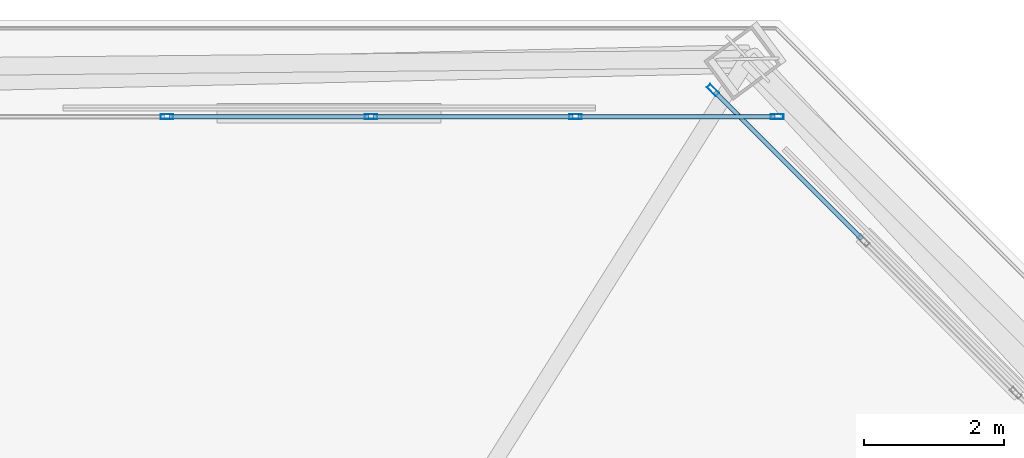
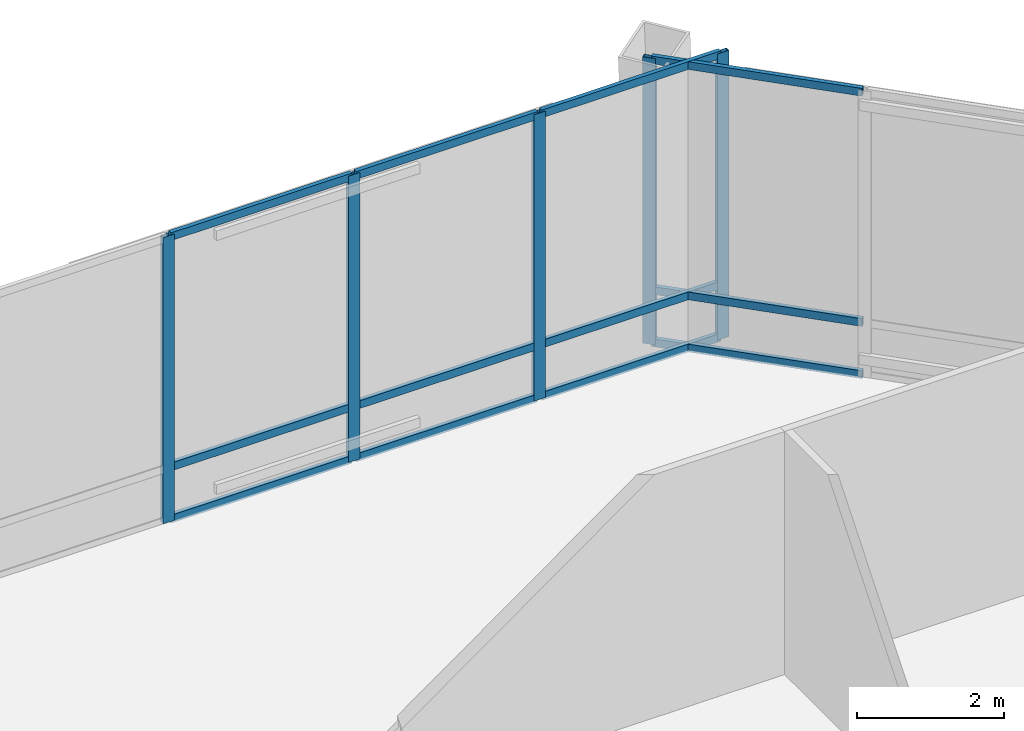
# One storey, part 25 of 34: 17 members, 2 elements without a shape of their own.
"""IFC4 building model written with IfcOpenShell, lengths in metres."""

from ifc_helpers import new_model, si_unit, direction, frame, origin, origin_2d, place, context, subcontext, project, spatial, hollow_rectangle, extrude, material, layer, layer_set, material_profile, profile_set, type_object, element, aggregate, save


model = new_model("IFC4")

# Units and contexts
model_context = context("Model", 3, precision=1e-05, world=origin(), true_north=direction((0.0, 1.0)))
body_context = subcontext(model_context, "Body", "Model", "MODEL_VIEW")
ifc_project = project(units=[si_unit("LENGTHUNIT", "METRE"), si_unit("AREAUNIT", "SQUARE_METRE"), si_unit("VOLUMEUNIT", "CUBIC_METRE"), si_unit("PLANEANGLEUNIT", "RADIAN"), si_unit("MASSUNIT", "GRAM", prefix="KILO")], contexts=[model_context])

# Site, building, storey
site_placement = place(None, origin())
site = spatial("IfcSite", under=ifc_project, at=site_placement, CompositionType="ELEMENT")
building_placement = place(site_placement, origin())
building = spatial("IfcBuilding", under=site, at=building_placement, Name="Caelvoria Tower", CompositionType="ELEMENT")
storey_placement = place(building_placement, frame((0.0, 0.0, 172.0)))
storey = spatial("IfcBuildingStorey", under=building, at=storey_placement, Name="L45", CompositionType="ELEMENT", Elevation=172.0)

# Curtain wall, member
ifc_material_1 = material(Name="Anodised Bronze Aluminium and Low-E Glass", Category="aluminium")
ifc_layer = layer(ifc_material_1, 0.2099609375, Name="Anodised Bronze Aluminium and Low-E Glass")
ifc_layer_set = layer_set([ifc_layer], Name="CW System 3 Sky Lobby Double-Height Acoustic Facade - Anodised Bronze Aluminium and Low-E Glass")
curtain_wall_type = type_object("IfcCurtainWallType", Name="CW System 3 Sky Lobby Double-Height Acoustic Facade", PredefinedType="NOTDEFINED", material=ifc_layer_set)
curtain_wall_1_placement = place(storey_placement, origin())
curtain_wall_1 = element("IfcCurtainWall", 1, at=curtain_wall_1_placement, inside=storey, type_object=curtain_wall_type, Name="CW-03 Curtain Wall L45-E3", PredefinedType="NOTDEFINED")
ifc_material_2 = material(Name="Anodised Bronze Architectural Aluminium", Category="aluminium")
ifc_material_profile_1 = material_profile(ifc_material_2, hollow_rectangle(XDim=0.070068359375, YDim=0.179931640625, WallThickness=0.00390625, at=origin_2d()), Name="Anodised Bronze Architectural Aluminium")
ifc_profile_set_1 = profile_set([ifc_material_profile_1], Name="CW_MULL_70X180 - Anodised Bronze Architectural Aluminium")
member_type_1 = type_object("IfcMemberType", Name="Curtain Wall Mullion 70x180 Bronze Aluminium", PredefinedType="MULLION", material=ifc_profile_set_1)
member_1_placement = place(storey_placement, frame((62.548828125, 52.33935546875, 0.0), z_axis=(0.0, 0.0, 1.0), x_axis=(-0.707106781187, -0.707106781187, 0.0)))
member_1 = element("IfcMember", 2, at=member_1_placement, type_object=member_type_1, Name="CW-03 mullion 4", PredefinedType="MULLION", context=body_context, shape_type="SweptSolid", body=[
    extrude(hollow_rectangle(XDim=0.070068359375, YDim=0.179931640625, WallThickness=0.00390625, at=origin_2d()), origin(), (0.0, 0.0, 1.0), 4.760009765625),
])

# Curtain wall, members
curtain_wall_2_placement = place(storey_placement, origin())
curtain_wall_2 = element("IfcCurtainWall", 3, at=curtain_wall_2_placement, inside=storey, type_object=curtain_wall_type, Name="CW-03 Curtain Wall L45-E4", PredefinedType="NOTDEFINED")
member_2_placement = place(storey_placement, frame((63.465087890625, 51.9599609375, 0.0), z_axis=(0.0, 0.0, 1.0), x_axis=(0.0, -1.0, 0.0)))
member_2 = element("IfcMember", 4, at=member_2_placement, type_object=member_type_1, Name="CW-03 mullion 1", PredefinedType="MULLION", context=body_context, shape_type="SweptSolid", body=[
    extrude(hollow_rectangle(XDim=0.070068359375, YDim=0.179931640625, WallThickness=0.00390625, at=origin_2d()), origin(), (0.0, 0.0, 1.0), 4.760009765625),
])
member_3_placement = place(storey_placement, frame((60.583251953125, 51.9599609375, 0.0), z_axis=(0.0, 0.0, 1.0), x_axis=(0.0, -1.0, 0.0)))
member_3 = element("IfcMember", 5, at=member_3_placement, type_object=member_type_1, Name="CW-03 mullion 2", PredefinedType="MULLION", context=body_context, shape_type="SweptSolid", body=[
    extrude(hollow_rectangle(XDim=0.070068359375, YDim=0.179931640625, WallThickness=0.00390625, at=origin_2d()), origin(), (0.0, 0.0, 1.0), 4.760009765625),
])
member_4_placement = place(storey_placement, frame((57.666748046875, 51.9599609375, 0.0), z_axis=(0.0, 0.0, 1.0), x_axis=(0.0, -1.0, 0.0)))
member_4 = element("IfcMember", 6, at=member_4_placement, type_object=member_type_1, Name="CW-03 mullion 3", PredefinedType="MULLION", context=body_context, shape_type="SweptSolid", body=[
    extrude(hollow_rectangle(XDim=0.070068359375, YDim=0.179931640625, WallThickness=0.00390625, at=origin_2d()), origin(), (0.0, 0.0, 1.0), 4.760009765625),
])
member_5_placement = place(storey_placement, frame((54.75, 51.9599609375, 0.0), z_axis=(0.0, 0.0, 1.0), x_axis=(0.0, -1.0, 0.0)))
member_5 = element("IfcMember", 7, at=member_5_placement, type_object=member_type_1, Name="CW-03 mullion 4", PredefinedType="MULLION", context=body_context, shape_type="SweptSolid", body=[
    extrude(hollow_rectangle(XDim=0.070068359375, YDim=0.179931640625, WallThickness=0.00390625, at=origin_2d()), origin(), (0.0, 0.0, 1.0), 4.760009765625),
])

# Member
ifc_material_profile_2 = material_profile(ifc_material_2, hollow_rectangle(XDim=0.06494140625, YDim=0.1298828125, WallThickness=0.00341796875, at=origin_2d()), Name="Anodised Bronze Architectural Aluminium")
ifc_profile_set_2 = profile_set([ifc_material_profile_2], Name="CW_TRAN_65X130 - Anodised Bronze Architectural Aluminium")
member_type_2 = type_object("IfcMemberType", Name="Curtain Wall Transom 65x130 Bronze Aluminium", PredefinedType="USERDEFINED", material=ifc_profile_set_2)
member_6_placement = place(storey_placement, frame((64.6728515625, 50.215576171875, 0.032470703125), z_axis=(-0.707106781187, 0.707106781187, 0.0), x_axis=(-0.707106781187, -0.707106781187, 0.0)))
member_6 = element("IfcMember", 8, at=member_6_placement, type_object=member_type_2, Name="CW-03 transom 3.1", ObjectType="TRANSOM", PredefinedType="USERDEFINED", context=body_context, shape_type="SweptSolid", body=[
    extrude(hollow_rectangle(XDim=0.06494140625, YDim=0.1298828125, WallThickness=0.00341796875, at=origin_2d()), origin(), (0.0, 0.0, 1.0), 2.968505859375),
])

member_7_placement = place(storey_placement, frame((64.6728515625, 50.215576171875, 0.89990234375), z_axis=(-0.707106781187, 0.707106781187, 0.0), x_axis=(-0.707106781187, -0.707106781187, 0.0)))
member_7 = element("IfcMember", 9, at=member_7_placement, type_object=member_type_2, Name="CW-03 transom 3.2", ObjectType="TRANSOM", PredefinedType="USERDEFINED", context=body_context, shape_type="SweptSolid", body=[
    extrude(hollow_rectangle(XDim=0.06494140625, YDim=0.1298828125, WallThickness=0.00341796875, at=origin_2d()), origin(), (0.0, 0.0, 1.0), 2.968505859375),
])

member_8_placement = place(storey_placement, frame((64.6728515625, 50.215576171875, 4.7275390625), z_axis=(-0.707106781187, 0.707106781187, 0.0), x_axis=(-0.707106781187, -0.707106781187, 0.0)))
member_8 = element("IfcMember", 10, at=member_8_placement, type_object=member_type_2, Name="CW-03 transom 3.3", ObjectType="TRANSOM", PredefinedType="USERDEFINED", context=body_context, shape_type="SweptSolid", body=[
    extrude(hollow_rectangle(XDim=0.06494140625, YDim=0.1298828125, WallThickness=0.00341796875, at=origin_2d()), origin(), (0.0, 0.0, 1.0), 2.968505859375),
])

aggregate(curtain_wall_1, [member_1, member_6, member_7, member_8])

member_9_placement = place(storey_placement, frame((63.429931640625, 51.9599609375, 0.032470703125), z_axis=(-1.0, 0.0, 0.0), x_axis=(0.0, -1.0, 0.0)))
member_9 = element("IfcMember", 11, at=member_9_placement, type_object=member_type_2, Name="CW-03 transom 1.1", ObjectType="TRANSOM", PredefinedType="USERDEFINED", context=body_context, shape_type="SweptSolid", body=[
    extrude(hollow_rectangle(XDim=0.06494140625, YDim=0.1298828125, WallThickness=0.00341796875, at=origin_2d()), origin(), (0.0, 0.0, 1.0), 2.8115234375),
])

member_10_placement = place(storey_placement, frame((63.429931640625, 51.9599609375, 0.89990234375), z_axis=(-1.0, 0.0, 0.0), x_axis=(0.0, -1.0, 0.0)))
member_10 = element("IfcMember", 12, at=member_10_placement, type_object=member_type_2, Name="CW-03 transom 1.2", ObjectType="TRANSOM", PredefinedType="USERDEFINED", context=body_context, shape_type="SweptSolid", body=[
    extrude(hollow_rectangle(XDim=0.06494140625, YDim=0.1298828125, WallThickness=0.00341796875, at=origin_2d()), origin(), (0.0, 0.0, 1.0), 2.8115234375),
])

member_11_placement = place(storey_placement, frame((63.429931640625, 51.9599609375, 4.7275390625), z_axis=(-1.0, 0.0, 0.0), x_axis=(0.0, -1.0, 0.0)))
member_11 = element("IfcMember", 13, at=member_11_placement, type_object=member_type_2, Name="CW-03 transom 1.3", ObjectType="TRANSOM", PredefinedType="USERDEFINED", context=body_context, shape_type="SweptSolid", body=[
    extrude(hollow_rectangle(XDim=0.06494140625, YDim=0.1298828125, WallThickness=0.00341796875, at=origin_2d()), origin(), (0.0, 0.0, 1.0), 2.8115234375),
])

member_12_placement = place(storey_placement, frame((60.54833984375, 51.9599609375, 0.032470703125), z_axis=(-1.0, 0.0, 0.0), x_axis=(0.0, -1.0, 0.0)))
member_12 = element("IfcMember", 14, at=member_12_placement, type_object=member_type_2, Name="CW-03 transom 2.1", ObjectType="TRANSOM", PredefinedType="USERDEFINED", context=body_context, shape_type="SweptSolid", body=[
    extrude(hollow_rectangle(XDim=0.06494140625, YDim=0.1298828125, WallThickness=0.00341796875, at=origin_2d()), origin(), (0.0, 0.0, 1.0), 2.8466796875),
])

member_13_placement = place(storey_placement, frame((60.54833984375, 51.9599609375, 0.89990234375), z_axis=(-1.0, 0.0, 0.0), x_axis=(0.0, -1.0, 0.0)))
member_13 = element("IfcMember", 15, at=member_13_placement, type_object=member_type_2, Name="CW-03 transom 2.2", ObjectType="TRANSOM", PredefinedType="USERDEFINED", context=body_context, shape_type="SweptSolid", body=[
    extrude(hollow_rectangle(XDim=0.06494140625, YDim=0.1298828125, WallThickness=0.00341796875, at=origin_2d()), origin(), (0.0, 0.0, 1.0), 2.8466796875),
])

member_14_placement = place(storey_placement, frame((60.54833984375, 51.9599609375, 4.7275390625), z_axis=(-1.0, 0.0, 0.0), x_axis=(0.0, -1.0, 0.0)))
member_14 = element("IfcMember", 16, at=member_14_placement, type_object=member_type_2, Name="CW-03 transom 2.3", ObjectType="TRANSOM", PredefinedType="USERDEFINED", context=body_context, shape_type="SweptSolid", body=[
    extrude(hollow_rectangle(XDim=0.06494140625, YDim=0.1298828125, WallThickness=0.00341796875, at=origin_2d()), origin(), (0.0, 0.0, 1.0), 2.8466796875),
])

member_15_placement = place(storey_placement, frame((57.631591796875, 51.9599609375, 0.032470703125), z_axis=(-1.0, 0.0, 0.0), x_axis=(0.0, -1.0, 0.0)))
member_15 = element("IfcMember", 17, at=member_15_placement, type_object=member_type_2, Name="CW-03 transom 3.1", ObjectType="TRANSOM", PredefinedType="USERDEFINED", context=body_context, shape_type="SweptSolid", body=[
    extrude(hollow_rectangle(XDim=0.06494140625, YDim=0.1298828125, WallThickness=0.00341796875, at=origin_2d()), origin(), (0.0, 0.0, 1.0), 2.8466796875),
])

member_16_placement = place(storey_placement, frame((57.631591796875, 51.9599609375, 0.89990234375), z_axis=(-1.0, 0.0, 0.0), x_axis=(0.0, -1.0, 0.0)))
member_16 = element("IfcMember", 18, at=member_16_placement, type_object=member_type_2, Name="CW-03 transom 3.2", ObjectType="TRANSOM", PredefinedType="USERDEFINED", context=body_context, shape_type="SweptSolid", body=[
    extrude(hollow_rectangle(XDim=0.06494140625, YDim=0.1298828125, WallThickness=0.00341796875, at=origin_2d()), origin(), (0.0, 0.0, 1.0), 2.8466796875),
])

member_17_placement = place(storey_placement, frame((57.631591796875, 51.9599609375, 4.7275390625), z_axis=(-1.0, 0.0, 0.0), x_axis=(0.0, -1.0, 0.0)))
member_17 = element("IfcMember", 19, at=member_17_placement, type_object=member_type_2, Name="CW-03 transom 3.3", ObjectType="TRANSOM", PredefinedType="USERDEFINED", context=body_context, shape_type="SweptSolid", body=[
    extrude(hollow_rectangle(XDim=0.06494140625, YDim=0.1298828125, WallThickness=0.00341796875, at=origin_2d()), origin(), (0.0, 0.0, 1.0), 2.8466796875),
])

aggregate(curtain_wall_2, [member_2, member_3, member_4, member_5, member_9, member_10, member_11, member_12, member_13, member_14, member_15, member_16, member_17])

save(model, "model.ifc")
